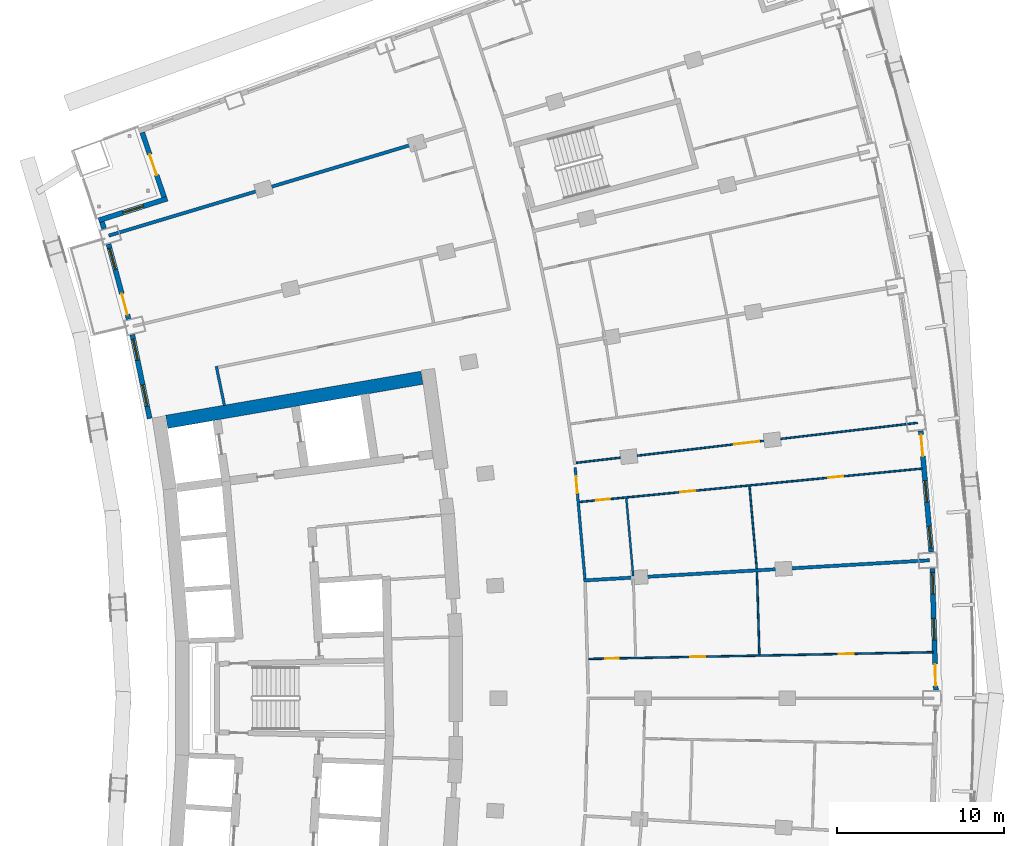
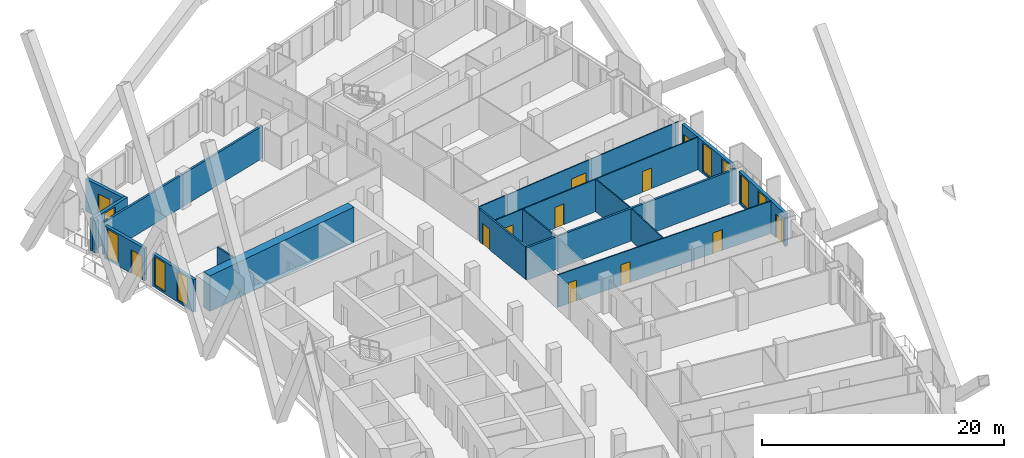
# One storey, part 19 of 26: 18 walls, 12 doors, 8 windows, 20 openings.
"""IFC4 building model written with IfcOpenShell, lengths in metres."""

from ifc_helpers import new_model, si_unit, direction, frame, frame_2d, origin, place, context, subcontext, project, spatial, rectangle, extrude, material, layer, layer_set, type_object, element, fill, save


model = new_model("IFC4")

# Units and contexts
model_context = context("Model", 3, precision=1e-05, world=origin(), true_north=direction((0.0, 1.0)))
body_context = subcontext(model_context, "Body", "Model", "MODEL_VIEW")
ifc_project = project(units=[si_unit("LENGTHUNIT", "METRE"), si_unit("AREAUNIT", "SQUARE_METRE"), si_unit("VOLUMEUNIT", "CUBIC_METRE"), si_unit("PLANEANGLEUNIT", "RADIAN"), si_unit("MASSUNIT", "GRAM", prefix="KILO")], contexts=[model_context])

# Site, building, storey
site_placement = place(None, origin())
site = spatial("IfcSite", under=ifc_project, at=site_placement, CompositionType="ELEMENT")
building_placement = place(site_placement, origin())
building = spatial("IfcBuilding", under=site, at=building_placement, Name="Alderwake Tower", CompositionType="ELEMENT")
storey_placement = place(building_placement, frame((0.0, 0.0, 82.39990234375)))
storey = spatial("IfcBuildingStorey", under=building, at=storey_placement, Name="L19", CompositionType="ELEMENT", Elevation=82.39990234375)

# Walls
ifc_material_1 = material(Name="Concrete C70/85", Category="concrete")
ifc_layer_1 = layer(ifc_material_1, 0.800048828125)
ifc_layer_set_1 = layer_set([ifc_layer_1], Name="Core wall outer 800 C70-85")
wall_type_1 = type_object("IfcWallType", Name="Core wall outer 800 C70-85", PredefinedType="SHEAR", material=ifc_layer_set_1)
wall_1_placement = place(storey_placement, frame((15.900146484375, 77.577880859375, 0.0), z_axis=(0.0, 0.0, 1.0), x_axis=(0.985386601125, 0.170332751763, 0.0)))
element("IfcWall", 1, at=wall_1_placement, inside=storey, type_object=wall_type_1, Name="Core wall CW.054", PredefinedType="SHEAR", context=body_context, shape_type="SweptSolid", body=[
    extrude(rectangle(XDim=15.531494140625, YDim=0.800048828125, at=frame_2d((7.765625, 0.0))), origin(), (0.0, 0.0, 1.0), 3.60009765625),
])
ifc_material_2 = material(Name="Gypsum board on metal studs, rated")
ifc_layer_2 = layer(ifc_material_2, 0.159912109375)
ifc_layer_set_2 = layer_set([ifc_layer_2], Name="Corridor wall 160")
wall_type_2 = type_object("IfcWallType", Name="Corridor wall 160", PredefinedType="PARTITIONING", material=ifc_layer_set_2)
wall_2_placement = place(storey_placement, frame((18.874755859375, 80.910400390625, 0.0), z_axis=(0.0, 0.0, 1.0), x_axis=(0.202312089075, -0.979321100873, 0.0)))
element("IfcWall", 2, at=wall_2_placement, inside=storey, type_object=wall_type_2, Name="WL/L19/W18", PredefinedType="PARTITIONING", context=body_context, shape_type="SweptSolid", body=[
    extrude(rectangle(XDim=2.39306640625, YDim=0.159912109375, at=frame_2d((1.196533203125, 0.0))), origin(), (0.0, 0.0, 1.0), 3.280029296875),
])

# Wall, opening, door
wall_3_placement = place(storey_placement, frame((40.400390625, 74.84228515625, 0.0), z_axis=(0.0, 0.0, 1.0), x_axis=(0.087437661692, -0.996169993183, 0.0)))
wall_3 = element("IfcWall", 3, at=wall_3_placement, inside=storey, type_object=wall_type_2, Name="WL/L19/W40", PredefinedType="PARTITIONING", context=body_context, shape_type="SweptSolid", body=[
    extrude(rectangle(XDim=6.701171875, YDim=0.159912109375, at=frame_2d((3.3505859375, 0.0))), origin(), (0.0, 0.0, 1.0), 3.280029296875),
])
opening_1_placement = place(wall_3_placement, frame((0.544921875, 0.0, 0.0)))
opening_1 = element("IfcOpeningElement", 4, at=opening_1_placement, cuts=wall_3, Name="Opening R05-U07.2", PredefinedType="OPENING", context=body_context, shape_type="SweptSolid", body=[
    extrude(rectangle(XDim=1.0, YDim=2.10009765625, at=frame_2d((0.5, 1.050048828125))), frame((0.0, 0.08984375, 0.0), z_axis=(0.0, -1.0, 0.0), x_axis=(1.0, 0.0, 0.0)), (0.0, 0.0, 1.0), 0.179931640625),
])
ifc_material_3 = material(Name="Solid timber leaf in steel frame", Category="steel")
door_type_1 = type_object("IfcDoorType", Name="Flat entrance door 1000 fire-rated", OperationType="SINGLE_SWING_LEFT", PredefinedType="DOOR", material=ifc_material_3)
door_1_placement = place(opening_1_placement, origin())
door_1 = element("IfcDoor", 5, at=door_1_placement, inside=storey, type_object=door_type_1, Name="DR/L19/U07.2", OperationType="SINGLE_SWING_LEFT", OverallHeight=2.10009765625, OverallWidth=1.0, PredefinedType="DOOR", context=body_context, shape_type="SweptSolid", body=[
    extrude(rectangle(XDim=1.0, YDim=2.10009765625, at=frame_2d((0.5, 1.050048828125))), frame((0.0, 0.02490234375, 0.0), z_axis=(0.0, -1.0, 0.0), x_axis=(1.0, 0.0, 0.0)), (0.0, 0.0, 1.0), 0.050048828125),
])
fill(opening_1, door_1)

# Wall, openings, door, windows
ifc_material_4 = material(Name="Precast concrete C50/60 spandrel panel", Category="concrete")
ifc_layer_3 = layer(ifc_material_4, 0.300048828125)
ifc_layer_set_3 = layer_set([ifc_layer_3], Name="External wall EW1 Precast concrete C50/60 spandrel")
wall_type_3 = type_object("IfcWallType", Name="External wall EW1 Precast concrete C50/60 spandrel", PredefinedType="SOLIDWALL", material=ifc_layer_set_3)
wall_4_placement = place(storey_placement, frame((62.035400390625, 61.49853515625, 0.0), z_axis=(0.0, 0.0, 1.0), x_axis=(-0.029146039904, 0.999575163936, 0.0)))
wall_4 = element("IfcWall", 6, at=wall_4_placement, inside=storey, type_object=wall_type_3, Name="External wall 17", PredefinedType="SOLIDWALL", context=body_context, shape_type="SweptSolid", body=[
    extrude(rectangle(XDim=7.28759765625, YDim=0.300048828125, at=frame_2d((3.643798828125, 0.0))), origin(), (0.0, 0.0, 1.0), 3.280029296875),
])
opening_2_placement = place(wall_4_placement, frame((0.23681640625, 0.0, 0.0)))
opening_2 = element("IfcOpeningElement", 7, at=opening_2_placement, cuts=wall_4, Name="Opening D07", PredefinedType="OPENING", context=body_context, shape_type="SweptSolid", body=[
    extrude(rectangle(XDim=1.300048828125, YDim=2.39990234375, at=frame_2d((0.64990234375, 1.199951171875))), frame((0.0, 0.159912109375, 0.0), z_axis=(0.0, -1.0, 0.0), x_axis=(1.0, 0.0, 0.0)), (0.0, 0.0, 1.0), 0.320068359375),
])
opening_3_placement = place(wall_4_placement, frame((2.99365234375, 0.0, 0.199951171875)))
opening_3 = element("IfcOpeningElement", 8, at=opening_3_placement, cuts=wall_4, Name="Opening W1", PredefinedType="OPENING", context=body_context, shape_type="SweptSolid", body=[
    extrude(rectangle(XDim=1.300048828125, YDim=2.89990234375, at=frame_2d((0.64990234375, 1.449951171875))), frame((0.0, 0.159912109375, 0.0), z_axis=(0.0, -1.0, 0.0), x_axis=(1.0, 0.0, 0.0)), (0.0, 0.0, 1.0), 0.320068359375),
])
opening_4_placement = place(wall_4_placement, frame((5.75048828125, 0.0, 0.199951171875)))
opening_4 = element("IfcOpeningElement", 9, at=opening_4_placement, cuts=wall_4, Name="Opening W1", PredefinedType="OPENING", context=body_context, shape_type="SweptSolid", body=[
    extrude(rectangle(XDim=1.300048828125, YDim=2.89990234375, at=frame_2d((0.64990234375, 1.449951171875))), frame((0.0, 0.159912109375, 0.0), z_axis=(0.0, -1.0, 0.0), x_axis=(1.0, 0.0, 0.0)), (0.0, 0.0, 1.0), 0.320068359375),
])
ifc_material_5 = material(Name="Bronze tinted glass in aluminium frame", Category="aluminium")
door_type_2 = type_object("IfcDoorType", Name="Balcony door BD sliding", OperationType="SLIDING_TO_LEFT", PredefinedType="DOOR", material=ifc_material_5)
door_2_placement = place(opening_2_placement, origin())
door_2 = element("IfcDoor", 10, at=door_2_placement, inside=storey, type_object=door_type_2, Name="Door D07", OperationType="SLIDING_TO_LEFT", OverallHeight=2.39990234375, OverallWidth=1.300048828125, PredefinedType="DOOR", context=body_context, shape_type="SweptSolid", body=[
    extrude(rectangle(XDim=1.300048828125, YDim=2.39990234375, at=frame_2d((0.64990234375, 1.199951171875))), frame((0.0, 0.02490234375, 0.0), z_axis=(0.0, -1.0, 0.0), x_axis=(1.0, 0.0, 0.0)), (0.0, 0.0, 1.0), 0.050048828125),
])
fill(opening_2, door_2)
ifc_material_6 = material(Name="Bronze tinted glass in aluminium frame", Category="aluminium")
window_type = type_object("IfcWindowType", Name="Window W1 tall fixed and vent", PartitioningType="DOUBLE_PANEL_VERTICAL", PredefinedType="WINDOW", material=ifc_material_6)
window_1_placement = place(opening_3_placement, origin())
window_1 = element("IfcWindow", 11, at=window_1_placement, inside=storey, type_object=window_type, Name="Window W1 tall fixed and vent", OverallHeight=2.89990234375, OverallWidth=1.300048828125, PartitioningType="DOUBLE_PANEL_VERTICAL", PredefinedType="WINDOW", context=body_context, shape_type="SweptSolid", body=[
    extrude(rectangle(XDim=1.300048828125, YDim=2.89990234375, at=frame_2d((0.64990234375, 1.449951171875))), frame((0.0, 0.030029296875, 0.0), z_axis=(0.0, -1.0, 0.0), x_axis=(1.0, 0.0, 0.0)), (0.0, 0.0, 1.0), 0.06005859375),
])
fill(opening_3, window_1)
window_2_placement = place(opening_4_placement, origin())
window_2 = element("IfcWindow", 12, at=window_2_placement, inside=storey, type_object=window_type, Name="Window W1 tall fixed and vent", OverallHeight=2.89990234375, OverallWidth=1.300048828125, PartitioningType="DOUBLE_PANEL_VERTICAL", PredefinedType="WINDOW", context=body_context, shape_type="SweptSolid", body=[
    extrude(rectangle(XDim=1.300048828125, YDim=2.89990234375, at=frame_2d((0.64990234375, 1.449951171875))), frame((0.0, 0.030029296875, 0.0), z_axis=(0.0, -1.0, 0.0), x_axis=(1.0, 0.0, 0.0)), (0.0, 0.0, 1.0), 0.06005859375),
])
fill(opening_4, window_2)

wall_5_placement = place(storey_placement, frame((61.764892578125, 69.778564453125, 0.0), z_axis=(0.0, 0.0, 1.0), x_axis=(-0.087408828745, 0.996172523541, 0.0)))
wall_5 = element("IfcWall", 13, at=wall_5_placement, inside=storey, type_object=wall_type_3, Name="External wall 18", PredefinedType="SOLIDWALL", context=body_context, shape_type="SweptSolid", body=[
    extrude(rectangle(XDim=7.287109375, YDim=0.300048828125, at=frame_2d((3.6435546875, 0.0))), origin(), (0.0, 0.0, 1.0), 3.280029296875),
])
opening_5_placement = place(wall_5_placement, frame((0.23681640625, 0.0, 0.199951171875)))
opening_5 = element("IfcOpeningElement", 14, at=opening_5_placement, cuts=wall_5, Name="Opening W1", PredefinedType="OPENING", context=body_context, shape_type="SweptSolid", body=[
    extrude(rectangle(XDim=1.300048828125, YDim=2.89990234375, at=frame_2d((0.64990234375, 1.449951171875))), frame((0.0, 0.159912109375, 0.0), z_axis=(0.0, -1.0, 0.0), x_axis=(1.0, 0.0, 0.0)), (0.0, 0.0, 1.0), 0.320068359375),
])
opening_6_placement = place(wall_5_placement, frame((2.99365234375, 0.0, 0.199951171875)))
opening_6 = element("IfcOpeningElement", 15, at=opening_6_placement, cuts=wall_5, Name="Opening W1", PredefinedType="OPENING", context=body_context, shape_type="SweptSolid", body=[
    extrude(rectangle(XDim=1.300048828125, YDim=2.89990234375, at=frame_2d((0.64990234375, 1.449951171875))), frame((0.0, 0.159912109375, 0.0), z_axis=(0.0, -1.0, 0.0), x_axis=(1.0, 0.0, 0.0)), (0.0, 0.0, 1.0), 0.320068359375),
])
opening_7_placement = place(wall_5_placement, frame((5.75048828125, 0.0, 0.0)))
opening_7 = element("IfcOpeningElement", 16, at=opening_7_placement, cuts=wall_5, Name="Opening D08", PredefinedType="OPENING", context=body_context, shape_type="SweptSolid", body=[
    extrude(rectangle(XDim=1.300048828125, YDim=2.39990234375, at=frame_2d((0.64990234375, 1.199951171875))), frame((0.0, 0.159912109375, 0.0), z_axis=(0.0, -1.0, 0.0), x_axis=(1.0, 0.0, 0.0)), (0.0, 0.0, 1.0), 0.320068359375),
])
door_3_placement = place(opening_7_placement, origin())
door_3 = element("IfcDoor", 17, at=door_3_placement, inside=storey, type_object=door_type_2, Name="Door D08", OperationType="SLIDING_TO_LEFT", OverallHeight=2.39990234375, OverallWidth=1.300048828125, PredefinedType="DOOR", context=body_context, shape_type="SweptSolid", body=[
    extrude(rectangle(XDim=1.300048828125, YDim=2.39990234375, at=frame_2d((0.64990234375, 1.199951171875))), frame((0.0, 0.02490234375, 0.0), z_axis=(0.0, -1.0, 0.0), x_axis=(1.0, 0.0, 0.0)), (0.0, 0.0, 1.0), 0.050048828125),
])
fill(opening_7, door_3)
window_3_placement = place(opening_5_placement, origin())
window_3 = element("IfcWindow", 18, at=window_3_placement, inside=storey, type_object=window_type, Name="Window W1 tall fixed and vent", OverallHeight=2.89990234375, OverallWidth=1.300048828125, PartitioningType="DOUBLE_PANEL_VERTICAL", PredefinedType="WINDOW", context=body_context, shape_type="SweptSolid", body=[
    extrude(rectangle(XDim=1.300048828125, YDim=2.89990234375, at=frame_2d((0.64990234375, 1.449951171875))), frame((0.0, 0.030029296875, 0.0), z_axis=(0.0, -1.0, 0.0), x_axis=(1.0, 0.0, 0.0)), (0.0, 0.0, 1.0), 0.06005859375),
])
fill(opening_5, window_3)
window_4_placement = place(opening_6_placement, origin())
window_4 = element("IfcWindow", 19, at=window_4_placement, inside=storey, type_object=window_type, Name="Window W1 tall fixed and vent", OverallHeight=2.89990234375, OverallWidth=1.300048828125, PartitioningType="DOUBLE_PANEL_VERTICAL", PredefinedType="WINDOW", context=body_context, shape_type="SweptSolid", body=[
    extrude(rectangle(XDim=1.300048828125, YDim=2.89990234375, at=frame_2d((0.64990234375, 1.449951171875))), frame((0.0, 0.030029296875, 0.0), z_axis=(0.0, -1.0, 0.0), x_axis=(1.0, 0.0, 0.0)), (0.0, 0.0, 1.0), 0.06005859375),
])
fill(opening_6, window_4)

# Wall
wall_6_placement = place(storey_placement, frame((12.01416015625, 89.5703125, 0.0), z_axis=(0.0, 0.0, 1.0), x_axis=(0.294567190983, -0.955630770746, 0.0)))
element("IfcWall", 20, at=wall_6_placement, inside=storey, type_object=wall_type_3, Name="External wall 32", PredefinedType="SOLIDWALL", context=body_context, shape_type="SweptSolid", body=[
    extrude(rectangle(XDim=0.427734375, YDim=0.300048828125, at=frame_2d((0.2138671875, 0.0))), origin(), (0.0, 0.0, 1.0), 3.280029296875),
])

# Wall, openings, door, window
wall_7_placement = place(storey_placement, frame((12.406494140625, 88.237548828125, 0.0), z_axis=(0.0, 0.0, 1.0), x_axis=(0.259468933642, -0.965751454814, 0.0)))
wall_7 = element("IfcWall", 21, at=wall_7_placement, inside=storey, type_object=wall_type_3, Name="External wall 33", PredefinedType="SOLIDWALL", context=body_context, shape_type="SweptSolid", body=[
    extrude(rectangle(XDim=4.65087890625, YDim=0.300048828125, at=frame_2d((2.325439453125, 0.0))), origin(), (0.0, 0.0, 1.0), 3.280029296875),
])
opening_8_placement = place(wall_7_placement, frame((0.26708984375, 0.0, 0.199951171875)))
opening_8 = element("IfcOpeningElement", 22, at=opening_8_placement, cuts=wall_7, Name="Opening W1", PredefinedType="OPENING", context=body_context, shape_type="SweptSolid", body=[
    extrude(rectangle(XDim=1.300048828125, YDim=2.89990234375, at=frame_2d((0.64990234375, 1.449951171875))), frame((0.0, 0.159912109375, 0.0), z_axis=(0.0, -1.0, 0.0), x_axis=(1.0, 0.0, 0.0)), (0.0, 0.0, 1.0), 0.320068359375),
])
opening_9_placement = place(wall_7_placement, frame((3.083984375, 0.0, 0.0)))
opening_9 = element("IfcOpeningElement", 23, at=opening_9_placement, cuts=wall_7, Name="Opening D14", PredefinedType="OPENING", context=body_context, shape_type="SweptSolid", body=[
    extrude(rectangle(XDim=1.300048828125, YDim=2.39990234375, at=frame_2d((0.64990234375, 1.199951171875))), frame((0.0, 0.159912109375, 0.0), z_axis=(0.0, -1.0, 0.0), x_axis=(1.0, 0.0, 0.0)), (0.0, 0.0, 1.0), 0.320068359375),
])
door_4_placement = place(opening_9_placement, origin())
door_4 = element("IfcDoor", 24, at=door_4_placement, inside=storey, type_object=door_type_2, Name="Door D14", OperationType="SLIDING_TO_LEFT", OverallHeight=2.39990234375, OverallWidth=1.300048828125, PredefinedType="DOOR", context=body_context, shape_type="SweptSolid", body=[
    extrude(rectangle(XDim=1.300048828125, YDim=2.39990234375, at=frame_2d((0.64990234375, 1.199951171875))), frame((0.0, 0.02490234375, 0.0), z_axis=(0.0, -1.0, 0.0), x_axis=(1.0, 0.0, 0.0)), (0.0, 0.0, 1.0), 0.050048828125),
])
fill(opening_9, door_4)
window_5_placement = place(opening_8_placement, origin())
window_5 = element("IfcWindow", 25, at=window_5_placement, inside=storey, type_object=window_type, Name="Window W1 tall fixed and vent", OverallHeight=2.89990234375, OverallWidth=1.300048828125, PartitioningType="DOUBLE_PANEL_VERTICAL", PredefinedType="WINDOW", context=body_context, shape_type="SweptSolid", body=[
    extrude(rectangle(XDim=1.300048828125, YDim=2.89990234375, at=frame_2d((0.64990234375, 1.449951171875))), frame((0.0, 0.030029296875, 0.0), z_axis=(0.0, -1.0, 0.0), x_axis=(1.0, 0.0, 0.0)), (0.0, 0.0, 1.0), 0.06005859375),
])
fill(opening_8, window_5)

# Wall, openings, windows
wall_8_placement = place(storey_placement, frame((13.83740234375, 82.803955078125, 0.0), z_axis=(0.0, 0.0, 1.0), x_axis=(0.202723539143, -0.979236011734, 0.0)))
wall_8 = element("IfcWall", 26, at=wall_8_placement, inside=storey, type_object=wall_type_3, Name="External wall 34", PredefinedType="SOLIDWALL", context=body_context, shape_type="SweptSolid", body=[
    extrude(rectangle(XDim=5.134033203125, YDim=0.300048828125, at=frame_2d((2.56689453125, 0.0))), origin(), (0.0, 0.0, 1.0), 3.280029296875),
])
opening_10_placement = place(wall_8_placement, frame((0.264892578125, 0.0, 0.199951171875)))
opening_10 = element("IfcOpeningElement", 27, at=opening_10_placement, cuts=wall_8, Name="Opening W1", PredefinedType="OPENING", context=body_context, shape_type="SweptSolid", body=[
    extrude(rectangle(XDim=1.300048828125, YDim=2.89990234375, at=frame_2d((0.64990234375, 1.449951171875))), frame((0.0, 0.159912109375, 0.0), z_axis=(0.0, -1.0, 0.0), x_axis=(1.0, 0.0, 0.0)), (0.0, 0.0, 1.0), 0.320068359375),
])
opening_11_placement = place(wall_8_placement, frame((3.077392578125, 0.0, 0.199951171875)))
opening_11 = element("IfcOpeningElement", 28, at=opening_11_placement, cuts=wall_8, Name="Opening W1", PredefinedType="OPENING", context=body_context, shape_type="SweptSolid", body=[
    extrude(rectangle(XDim=1.300048828125, YDim=2.89990234375, at=frame_2d((0.64990234375, 1.449951171875))), frame((0.0, 0.159912109375, 0.0), z_axis=(0.0, -1.0, 0.0), x_axis=(1.0, 0.0, 0.0)), (0.0, 0.0, 1.0), 0.320068359375),
])
window_6_placement = place(opening_10_placement, origin())
window_6 = element("IfcWindow", 29, at=window_6_placement, inside=storey, type_object=window_type, Name="Window W1 tall fixed and vent", OverallHeight=2.89990234375, OverallWidth=1.300048828125, PartitioningType="DOUBLE_PANEL_VERTICAL", PredefinedType="WINDOW", context=body_context, shape_type="SweptSolid", body=[
    extrude(rectangle(XDim=1.300048828125, YDim=2.89990234375, at=frame_2d((0.64990234375, 1.449951171875))), frame((0.0, 0.030029296875, 0.0), z_axis=(0.0, -1.0, 0.0), x_axis=(1.0, 0.0, 0.0)), (0.0, 0.0, 1.0), 0.06005859375),
])
fill(opening_10, window_6)
window_7_placement = place(opening_11_placement, origin())
window_7 = element("IfcWindow", 30, at=window_7_placement, inside=storey, type_object=window_type, Name="Window W1 tall fixed and vent", OverallHeight=2.89990234375, OverallWidth=1.300048828125, PartitioningType="DOUBLE_PANEL_VERTICAL", PredefinedType="WINDOW", context=body_context, shape_type="SweptSolid", body=[
    extrude(rectangle(XDim=1.300048828125, YDim=2.89990234375, at=frame_2d((0.64990234375, 1.449951171875))), frame((0.0, 0.030029296875, 0.0), z_axis=(0.0, -1.0, 0.0), x_axis=(1.0, 0.0, 0.0)), (0.0, 0.0, 1.0), 0.06005859375),
])
fill(opening_11, window_7)

# Wall, opening, door
ifc_material_7 = material(Name="Bronze metal cladding on lightweight framing")
ifc_layer_4 = layer(ifc_material_7, 0.300048828125)
ifc_layer_set_4 = layer_set([ifc_layer_4], Name="External wall EW2 bronze metal cladding")
wall_type_4 = type_object("IfcWallType", Name="External wall EW2 bronze metal cladding", PredefinedType="SOLIDWALL", material=ifc_layer_set_4)
wall_9_placement = place(storey_placement, frame((14.430908203125, 94.937744140625, 0.0), z_axis=(0.0, 0.0, 1.0), x_axis=(0.320379458656, -0.947289291859, 0.0)))
wall_9 = element("IfcWall", 31, at=wall_9_placement, inside=storey, type_object=wall_type_4, Name="External wall 30", PredefinedType="SOLIDWALL", context=body_context, shape_type="SweptSolid", body=[
    extrude(rectangle(XDim=4.08984375, YDim=0.300048828125, at=frame_2d((2.044921875, 0.0))), origin(), (0.0, 0.0, 1.0), 3.280029296875),
])
opening_12_placement = place(wall_9_placement, frame((1.39501953125, 0.0, 0.0)))
opening_12 = element("IfcOpeningElement", 32, at=opening_12_placement, cuts=wall_9, Name="Opening D13", PredefinedType="OPENING", context=body_context, shape_type="SweptSolid", body=[
    extrude(rectangle(XDim=1.300048828125, YDim=2.39990234375, at=frame_2d((0.64990234375, 1.199951171875))), frame((0.0, 0.159912109375, 0.0), z_axis=(0.0, -1.0, 0.0), x_axis=(1.0, 0.0, 0.0)), (0.0, 0.0, 1.0), 0.320068359375),
])
door_5_placement = place(opening_12_placement, origin())
door_5 = element("IfcDoor", 33, at=door_5_placement, inside=storey, type_object=door_type_2, Name="Door D13", OperationType="SLIDING_TO_LEFT", OverallHeight=2.39990234375, OverallWidth=1.300048828125, PredefinedType="DOOR", context=body_context, shape_type="SweptSolid", body=[
    extrude(rectangle(XDim=1.300048828125, YDim=2.39990234375, at=frame_2d((0.64990234375, 1.199951171875))), frame((0.0, 0.02490234375, 0.0), z_axis=(0.0, -1.0, 0.0), x_axis=(1.0, 0.0, 0.0)), (0.0, 0.0, 1.0), 0.050048828125),
])
fill(opening_12, door_5)

# Wall, opening, window
wall_10_placement = place(storey_placement, frame((15.932373046875, 90.966552734375, 0.0), z_axis=(0.0, 0.0, 1.0), x_axis=(-0.953473772386, -0.301475978103, 0.0)))
wall_10 = element("IfcWall", 34, at=wall_10_placement, inside=storey, type_object=wall_type_4, Name="External wall 31", PredefinedType="SOLIDWALL", context=body_context, shape_type="SweptSolid", body=[
    extrude(rectangle(XDim=4.305908203125, YDim=0.300048828125, at=frame_2d((2.15283203125, 0.0))), origin(), (0.0, 0.0, 1.0), 3.280029296875),
])
opening_13_placement = place(wall_10_placement, frame((1.5029296875, 0.0, 0.199951171875)))
opening_13 = element("IfcOpeningElement", 35, at=opening_13_placement, cuts=wall_10, Name="Opening W1", PredefinedType="OPENING", context=body_context, shape_type="SweptSolid", body=[
    extrude(rectangle(XDim=1.300048828125, YDim=2.89990234375, at=frame_2d((0.64990234375, 1.449951171875))), frame((0.0, 0.159912109375, 0.0), z_axis=(0.0, -1.0, 0.0), x_axis=(1.0, 0.0, 0.0)), (0.0, 0.0, 1.0), 0.320068359375),
])
window_8_placement = place(opening_13_placement, origin())
window_8 = element("IfcWindow", 36, at=window_8_placement, inside=storey, type_object=window_type, Name="Window W1 tall fixed and vent", OverallHeight=2.89990234375, OverallWidth=1.300048828125, PartitioningType="DOUBLE_PANEL_VERTICAL", PredefinedType="WINDOW", context=body_context, shape_type="SweptSolid", body=[
    extrude(rectangle(XDim=1.300048828125, YDim=2.89990234375, at=frame_2d((0.64990234375, 1.449951171875))), frame((0.0, 0.030029296875, 0.0), z_axis=(0.0, -1.0, 0.0), x_axis=(1.0, 0.0, 0.0)), (0.0, 0.0, 1.0), 0.06005859375),
])
fill(opening_13, window_8)

# Walls
ifc_material_8 = material(Name="Dense block masonry wall", Category="masonry")
ifc_layer_5 = layer(ifc_material_8, 0.199951171875)
ifc_layer_set_5 = layer_set([ifc_layer_5], Name="Party wall 200")
wall_type_5 = type_object("IfcWallType", Name="Party wall 200", PredefinedType="SOLIDWALL", material=ifc_layer_set_5)
wall_11_placement = place(storey_placement, frame((30.812744140625, 94.270751953125, 0.0), z_axis=(0.0, 0.0, 1.0), x_axis=(-0.957756965565, -0.287578849904, 0.0)))
element("IfcWall", 37, at=wall_11_placement, inside=storey, type_object=wall_type_5, Name="WL/L19/W01", PredefinedType="SOLIDWALL", context=body_context, shape_type="SweptSolid", body=[
    extrude(rectangle(XDim=19.20068359375, YDim=0.199951171875, at=frame_2d((9.600341796875, 0.0))), origin(), (0.0, 0.0, 1.0), 3.280029296875),
])
wall_12_placement = place(storey_placement, frame((61.658935546875, 69.27294921875, 0.0), z_axis=(0.0, 0.0, 1.0), x_axis=(-0.998301170221, -0.05826468515, 0.0)))
element("IfcWall", 38, at=wall_12_placement, inside=storey, type_object=wall_type_5, Name="WL/L19/W10", PredefinedType="SOLIDWALL", context=body_context, shape_type="SweptSolid", body=[
    extrude(rectangle(XDim=20.779296875, YDim=0.199951171875, at=frame_2d((10.3896484375, 0.0))), origin(), (0.0, 0.0, 1.0), 3.280029296875),
])

# Wall, openings, doors
ifc_material_9 = material(Name="Gypsum board on metal studs")
ifc_layer_6 = layer(ifc_material_9, 0.10009765625)
ifc_layer_set_6 = layer_set([ifc_layer_6], Name="Unit partition 100")
wall_type_6 = type_object("IfcWallType", Name="Unit partition 100", PredefinedType="PARTITIONING", material=ifc_layer_set_6)
wall_13_placement = place(storey_placement, frame((61.22705078125, 74.77490234375, 0.0), z_axis=(0.0, 0.0, 1.0), x_axis=(-0.995280953479, -0.097035167034, 0.0)))
wall_13 = element("IfcWall", 39, at=wall_13_placement, inside=storey, type_object=wall_type_6, Name="WL/L19/W70", PredefinedType="PARTITIONING", context=body_context, shape_type="SweptSolid", body=[
    extrude(rectangle(XDim=20.663818359375, YDim=0.10009765625, at=frame_2d((10.33203125, 0.0))), origin(), (0.0, 0.0, 1.0), 3.280029296875),
])
opening_14_placement = place(wall_13_placement, frame((13.681640625, 0.0, 0.0)))
opening_14 = element("IfcOpeningElement", 40, at=opening_14_placement, cuts=wall_13, Name="Opening R05-U07.1", PredefinedType="OPENING", context=body_context, shape_type="SweptSolid", body=[
    extrude(rectangle(XDim=0.89990234375, YDim=2.10009765625, at=frame_2d((0.449951171875, 1.050048828125))), frame((0.0, 0.06005859375, 0.0), z_axis=(0.0, -1.0, 0.0), x_axis=(1.0, 0.0, 0.0)), (0.0, 0.0, 1.0), 0.1201171875),
])
opening_15_placement = place(wall_13_placement, frame((18.85400390625, 0.0, 0.0)))
opening_15 = element("IfcOpeningElement", 41, at=opening_15_placement, cuts=wall_13, Name="Opening R05-U07.3", PredefinedType="OPENING", context=body_context, shape_type="SweptSolid", body=[
    extrude(rectangle(XDim=0.800048828125, YDim=2.10009765625, at=frame_2d((0.39990234375, 1.050048828125))), frame((0.0, 0.06005859375, 0.0), z_axis=(0.0, -1.0, 0.0), x_axis=(1.0, 0.0, 0.0)), (0.0, 0.0, 1.0), 0.1201171875),
])
opening_16_placement = place(wall_13_placement, frame((4.759765625, 0.0, 0.0)))
opening_16 = element("IfcOpeningElement", 42, at=opening_16_placement, cuts=wall_13, Name="Opening R05-U07.4", PredefinedType="OPENING", context=body_context, shape_type="SweptSolid", body=[
    extrude(rectangle(XDim=0.89990234375, YDim=2.10009765625, at=frame_2d((0.449951171875, 1.050048828125))), frame((0.0, 0.06005859375, 0.0), z_axis=(0.0, -1.0, 0.0), x_axis=(1.0, 0.0, 0.0)), (0.0, 0.0, 1.0), 0.1201171875),
])
ifc_material_10 = material(Name="Painted timber leaf", Category="wood")
door_type_3 = type_object("IfcDoorType", Name="Bathroom door 800", OperationType="SINGLE_SWING_LEFT", PredefinedType="DOOR", material=ifc_material_10)
door_6_placement = place(opening_15_placement, origin())
door_6 = element("IfcDoor", 43, at=door_6_placement, inside=storey, type_object=door_type_3, Name="DR/L19/U07.3", OperationType="SINGLE_SWING_LEFT", OverallHeight=2.10009765625, OverallWidth=0.800048828125, PredefinedType="DOOR", context=body_context, shape_type="SweptSolid", body=[
    extrude(rectangle(XDim=0.800048828125, YDim=2.10009765625, at=frame_2d((0.39990234375, 1.050048828125))), frame((0.0, 0.02490234375, 0.0), z_axis=(0.0, -1.0, 0.0), x_axis=(1.0, 0.0, 0.0)), (0.0, 0.0, 1.0), 0.050048828125),
])
fill(opening_15, door_6)
ifc_material_11 = material(Name="Painted timber leaf", Category="wood")
door_type_4 = type_object("IfcDoorType", Name="Room door 900", OperationType="SINGLE_SWING_LEFT", PredefinedType="DOOR", material=ifc_material_11)
door_7_placement = place(opening_14_placement, origin())
door_7 = element("IfcDoor", 44, at=door_7_placement, inside=storey, type_object=door_type_4, Name="DR/L19/U07.1", OperationType="SINGLE_SWING_LEFT", OverallHeight=2.10009765625, OverallWidth=0.89990234375, PredefinedType="DOOR", context=body_context, shape_type="SweptSolid", body=[
    extrude(rectangle(XDim=0.89990234375, YDim=2.10009765625, at=frame_2d((0.449951171875, 1.050048828125))), frame((0.0, 0.02490234375, 0.0), z_axis=(0.0, -1.0, 0.0), x_axis=(1.0, 0.0, 0.0)), (0.0, 0.0, 1.0), 0.050048828125),
])
fill(opening_14, door_7)
door_8_placement = place(opening_16_placement, origin())
door_8 = element("IfcDoor", 45, at=door_8_placement, inside=storey, type_object=door_type_4, Name="DR/L19/U07.4", OperationType="SINGLE_SWING_LEFT", OverallHeight=2.10009765625, OverallWidth=0.89990234375, PredefinedType="DOOR", context=body_context, shape_type="SweptSolid", body=[
    extrude(rectangle(XDim=0.89990234375, YDim=2.10009765625, at=frame_2d((0.449951171875, 1.050048828125))), frame((0.0, 0.02490234375, 0.0), z_axis=(0.0, -1.0, 0.0), x_axis=(1.0, 0.0, 0.0)), (0.0, 0.0, 1.0), 0.050048828125),
])
fill(opening_16, door_8)

wall_14_placement = place(storey_placement, frame((41.2099609375, 63.355712890625, 0.0), z_axis=(0.0, 0.0, 1.0), x_axis=(0.999809484555, 0.019519082812, 0.0)))
wall_14 = element("IfcWall", 46, at=wall_14_placement, inside=storey, type_object=wall_type_6, Name="WL/L19/W71", PredefinedType="PARTITIONING", context=body_context, shape_type="SweptSolid", body=[
    extrude(rectangle(XDim=20.662841796875, YDim=0.10009765625, at=frame_2d((10.33154296875, 0.0))), origin(), (0.0, 0.0, 1.0), 3.280029296875),
])
opening_17_placement = place(wall_14_placement, frame((6.082763671875, 0.0, 0.0)))
opening_17 = element("IfcOpeningElement", 47, at=opening_17_placement, cuts=wall_14, Name="Opening R05-U06.6", PredefinedType="OPENING", context=body_context, shape_type="SweptSolid", body=[
    extrude(rectangle(XDim=0.89990234375, YDim=2.10009765625, at=frame_2d((0.449951171875, 1.050048828125))), frame((0.0, 0.06005859375, 0.0), z_axis=(0.0, -1.0, 0.0), x_axis=(1.0, 0.0, 0.0)), (0.0, 0.0, 1.0), 0.1201171875),
])
opening_18_placement = place(wall_14_placement, frame((1.010009765625, 0.0, 0.0)))
opening_18 = element("IfcOpeningElement", 48, at=opening_18_placement, cuts=wall_14, Name="Opening R05-U06.7", PredefinedType="OPENING", context=body_context, shape_type="SweptSolid", body=[
    extrude(rectangle(XDim=0.800048828125, YDim=2.10009765625, at=frame_2d((0.39990234375, 1.050048828125))), frame((0.0, 0.06005859375, 0.0), z_axis=(0.0, -1.0, 0.0), x_axis=(1.0, 0.0, 0.0)), (0.0, 0.0, 1.0), 0.1201171875),
])
opening_19_placement = place(wall_14_placement, frame((15.004150390625, 0.0, 0.0)))
opening_19 = element("IfcOpeningElement", 49, at=opening_19_placement, cuts=wall_14, Name="Opening R05-U06.8", PredefinedType="OPENING", context=body_context, shape_type="SweptSolid", body=[
    extrude(rectangle(XDim=0.89990234375, YDim=2.10009765625, at=frame_2d((0.449951171875, 1.050048828125))), frame((0.0, 0.06005859375, 0.0), z_axis=(0.0, -1.0, 0.0), x_axis=(1.0, 0.0, 0.0)), (0.0, 0.0, 1.0), 0.1201171875),
])
door_9_placement = place(opening_18_placement, origin())
door_9 = element("IfcDoor", 50, at=door_9_placement, inside=storey, type_object=door_type_3, Name="DR/L19/U06.7", OperationType="SINGLE_SWING_LEFT", OverallHeight=2.10009765625, OverallWidth=0.800048828125, PredefinedType="DOOR", context=body_context, shape_type="SweptSolid", body=[
    extrude(rectangle(XDim=0.800048828125, YDim=2.10009765625, at=frame_2d((0.39990234375, 1.050048828125))), frame((0.0, 0.02490234375, 0.0), z_axis=(0.0, -1.0, 0.0), x_axis=(1.0, 0.0, 0.0)), (0.0, 0.0, 1.0), 0.050048828125),
])
fill(opening_18, door_9)
door_10_placement = place(opening_17_placement, origin())
door_10 = element("IfcDoor", 51, at=door_10_placement, inside=storey, type_object=door_type_4, Name="DR/L19/U06.6", OperationType="SINGLE_SWING_LEFT", OverallHeight=2.10009765625, OverallWidth=0.89990234375, PredefinedType="DOOR", context=body_context, shape_type="SweptSolid", body=[
    extrude(rectangle(XDim=0.89990234375, YDim=2.10009765625, at=frame_2d((0.449951171875, 1.050048828125))), frame((0.0, 0.02490234375, 0.0), z_axis=(0.0, -1.0, 0.0), x_axis=(1.0, 0.0, 0.0)), (0.0, 0.0, 1.0), 0.050048828125),
])
fill(opening_17, door_10)
door_11_placement = place(opening_19_placement, origin())
door_11 = element("IfcDoor", 52, at=door_11_placement, inside=storey, type_object=door_type_4, Name="DR/L19/U06.8", OperationType="SINGLE_SWING_LEFT", OverallHeight=2.10009765625, OverallWidth=0.89990234375, PredefinedType="DOOR", context=body_context, shape_type="SweptSolid", body=[
    extrude(rectangle(XDim=0.89990234375, YDim=2.10009765625, at=frame_2d((0.449951171875, 1.050048828125))), frame((0.0, 0.02490234375, 0.0), z_axis=(0.0, -1.0, 0.0), x_axis=(1.0, 0.0, 0.0)), (0.0, 0.0, 1.0), 0.050048828125),
])
fill(opening_19, door_11)

# Walls
wall_15_placement = place(storey_placement, frame((51.294189453125, 68.7666015625, 0.0), z_axis=(0.0, 0.0, 1.0), x_axis=(-0.087352937881, 0.996177426086, 0.0)))
element("IfcWall", 53, at=wall_15_placement, inside=storey, type_object=wall_type_6, Name="WL/L19/W82", PredefinedType="PARTITIONING", context=body_context, shape_type="SweptSolid", body=[
    extrude(rectangle(XDim=4.966552734375, YDim=0.10009765625, at=frame_2d((2.4833984375, 0.0))), origin(), (0.0, 0.0, 1.0), 3.280029296875),
])
wall_16_placement = place(storey_placement, frame((51.451416015625, 63.60498046875, 0.0), z_axis=(0.0, 0.0, 1.0), x_axis=(-0.029312335146, 0.999570301184, 0.0)))
element("IfcWall", 54, at=wall_16_placement, inside=storey, type_object=wall_type_6, Name="WL/L19/W83", PredefinedType="PARTITIONING", context=body_context, shape_type="SweptSolid", body=[
    extrude(rectangle(XDim=4.964111328125, YDim=0.10009765625, at=frame_2d((2.48193359375, 0.0))), origin(), (0.0, 0.0, 1.0), 3.280029296875),
])

# Wall, opening, door
wall_17_placement = place(storey_placement, frame((40.45654296875, 75.1171875, 0.0), z_axis=(0.0, 0.0, 1.0), x_axis=(0.993203681346, 0.116389206376, 0.0)))
wall_17 = element("IfcWall", 55, at=wall_17_placement, inside=storey, type_object=wall_type_6, Name="WL/L19/W86", PredefinedType="PARTITIONING", context=body_context, shape_type="SweptSolid", body=[
    extrude(rectangle(XDim=20.61962890625, YDim=0.10009765625, at=frame_2d((10.309814453125, 0.0))), origin(), (0.0, 0.0, 1.0), 3.280029296875),
])
opening_20_placement = place(wall_17_placement, frame((9.5595703125, 0.0, 0.0)))
opening_20 = element("IfcOpeningElement", 56, at=opening_20_placement, cuts=wall_17, Name="Opening R05-U07.8", PredefinedType="OPENING", context=body_context, shape_type="SweptSolid", body=[
    extrude(rectangle(XDim=1.5, YDim=2.10009765625, at=frame_2d((0.75, 1.050048828125))), frame((0.0, 0.06005859375, 0.0), z_axis=(0.0, -1.0, 0.0), x_axis=(1.0, 0.0, 0.0)), (0.0, 0.0, 1.0), 0.1201171875),
])
ifc_material_12 = material(Name="Painted timber leaves", Category="wood")
door_type_5 = type_object("IfcDoorType", Name="Double leaf door 1500", OperationType="DOUBLE_DOOR_SINGLE_SWING", PredefinedType="DOOR", material=ifc_material_12)
door_12_placement = place(opening_20_placement, origin())
door_12 = element("IfcDoor", 57, at=door_12_placement, inside=storey, type_object=door_type_5, Name="DR/L19/U07.8", OperationType="DOUBLE_DOOR_SINGLE_SWING", OverallHeight=2.10009765625, OverallWidth=1.5, PredefinedType="DOOR", context=body_context, shape_type="SweptSolid", body=[
    extrude(rectangle(XDim=1.5, YDim=2.10009765625, at=frame_2d((0.75, 1.050048828125))), frame((0.0, 0.02490234375, 0.0), z_axis=(0.0, -1.0, 0.0), x_axis=(1.0, 0.0, 0.0)), (0.0, 0.0, 1.0), 0.050048828125),
])
fill(opening_20, door_12)

# Wall
ifc_material_13 = material(Name="Moisture resistant gypsum board on metal studs")
ifc_layer_7 = layer(ifc_material_13, 0.1201171875)
ifc_layer_set_7 = layer_set([ifc_layer_7], Name="Wet room partition 120")
wall_type_7 = type_object("IfcWallType", Name="Wet room partition 120", PredefinedType="PARTITIONING", material=ifc_layer_set_7)
wall_18_placement = place(storey_placement, frame((43.881103515625, 68.334716796875, 0.0), z_axis=(0.0, 0.0, 1.0), x_axis=(-0.087639255618, 0.996152277955, 0.0)))
element("IfcWall", 58, at=wall_18_placement, inside=storey, type_object=wall_type_7, Name="WL/L19/W58", PredefinedType="PARTITIONING", context=body_context, shape_type="SweptSolid", body=[
    extrude(rectangle(XDim=4.674560546875, YDim=0.1201171875, at=frame_2d((2.33740234375, 0.0))), origin(), (0.0, 0.0, 1.0), 3.280029296875),
])

save(model, "model.ifc")
